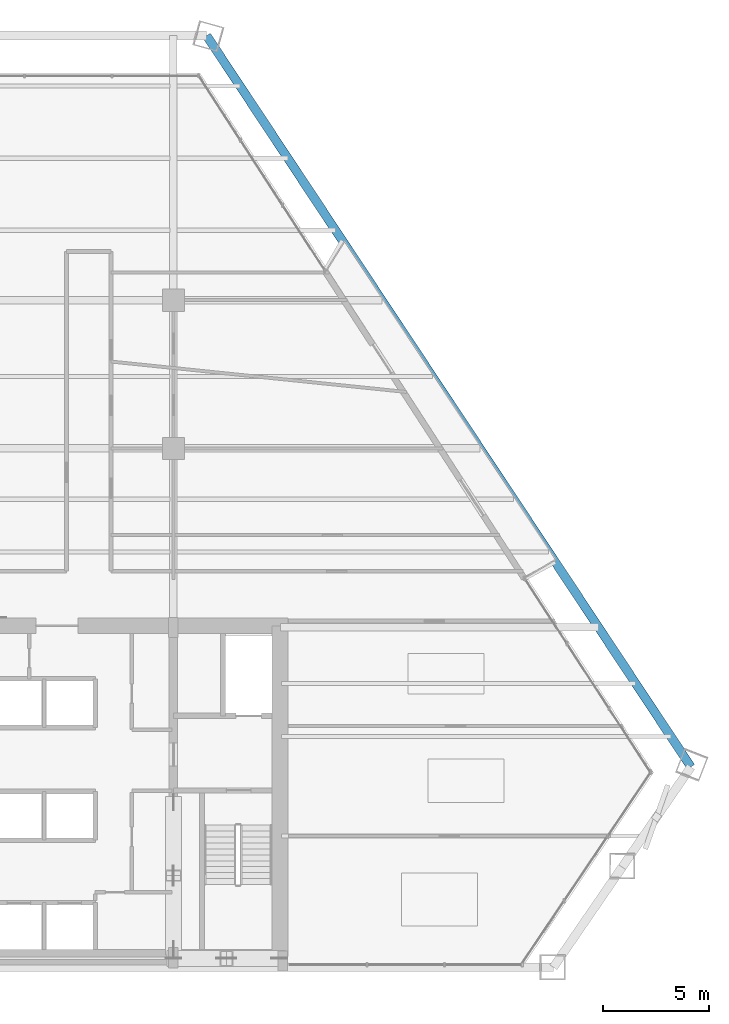
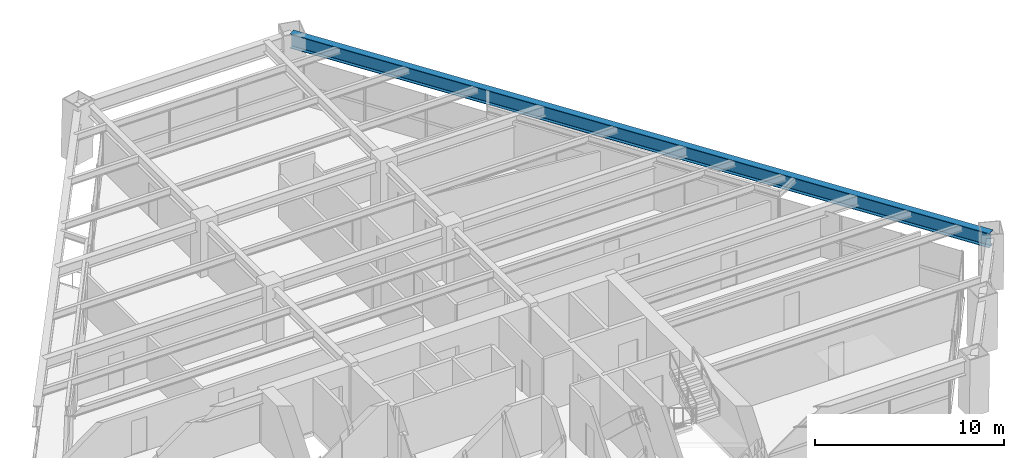
# One storey, part 7 of 14: 1 beam.
"""IFC4 building model written with IfcOpenShell, lengths in metres."""

from ifc_helpers import new_model, si_unit, direction, frame, origin, origin_2d, place, context, subcontext, project, spatial, i_section, extrude, source, transform, mapped, material, material_profile, profile_set, type_object, element, save


model = new_model("IFC4")

# Units and contexts
model_context = context("Model", 3, precision=1e-05, world=origin(), true_north=direction((0.0, 1.0)))
body_context = subcontext(model_context, "Body", "Model", "MODEL_VIEW")
ifc_project = project(units=[si_unit("LENGTHUNIT", "METRE"), si_unit("AREAUNIT", "SQUARE_METRE"), si_unit("VOLUMEUNIT", "CUBIC_METRE"), si_unit("PLANEANGLEUNIT", "RADIAN"), si_unit("MASSUNIT", "GRAM", prefix="KILO")], contexts=[model_context])

# Site, building, storey
site_placement = place(None, origin())
site = spatial("IfcSite", under=ifc_project, at=site_placement, CompositionType="ELEMENT")
building_placement = place(site_placement, origin())
building = spatial("IfcBuilding", under=site, at=building_placement, Name="Varnakhor Terracotta Tower", CompositionType="ELEMENT")
storey_placement = place(building_placement, frame((0.0, 0.0, 91.39990234375)))
storey = spatial("IfcBuildingStorey", under=building, at=storey_placement, Name="L22", CompositionType="ELEMENT", Elevation=91.39990234375)

# Beam
ifc_material = material(Name="Steel S355", Category="steel")
ifc_material_profile = material_profile(ifc_material, i_section(OverallWidth=0.41796875, OverallDepth=0.927001953125, WebThickness=0.01904296875, FlangeThickness=0.031982421875, FilletRadius=0.01806640625, at=origin_2d()), Name="W36X231")
ifc_profile_set = profile_set([ifc_material_profile], Name="Steel S355")
beam_type = type_object("IfcBeamType", Name="BM-W36X231", PredefinedType="BEAM", material=ifc_profile_set)
shared_shape = source(origin(), body_context, "Body", "SweptSolid", [
    extrude(i_section(OverallWidth=0.41796875, OverallDepth=0.927001953125, WebThickness=0.01904296875, FlangeThickness=0.031982421875, FilletRadius=0.01806640625, at=origin_2d()), origin(), (0.0, 0.0, 1.0), 41.41162109375),
])
beam_placement = place(storey_placement, frame((29.933349609375, 9.4619140625, 2.986572265625), z_axis=(-0.552205283341, 0.833708177392, 0.0), x_axis=(-0.833708177392, -0.552205283341, 0.0)))
element("IfcBeam", 1, at=beam_placement, inside=storey, type_object=beam_type, Name="L22 Perimeter Spandrel 4", PredefinedType="BEAM", context=body_context, shape_type="MappedRepresentation", body=[
    mapped(shared_shape, transform((0.0, 0.0, 0.0), scale=1.0)),
])

save(model, "model.ifc")
